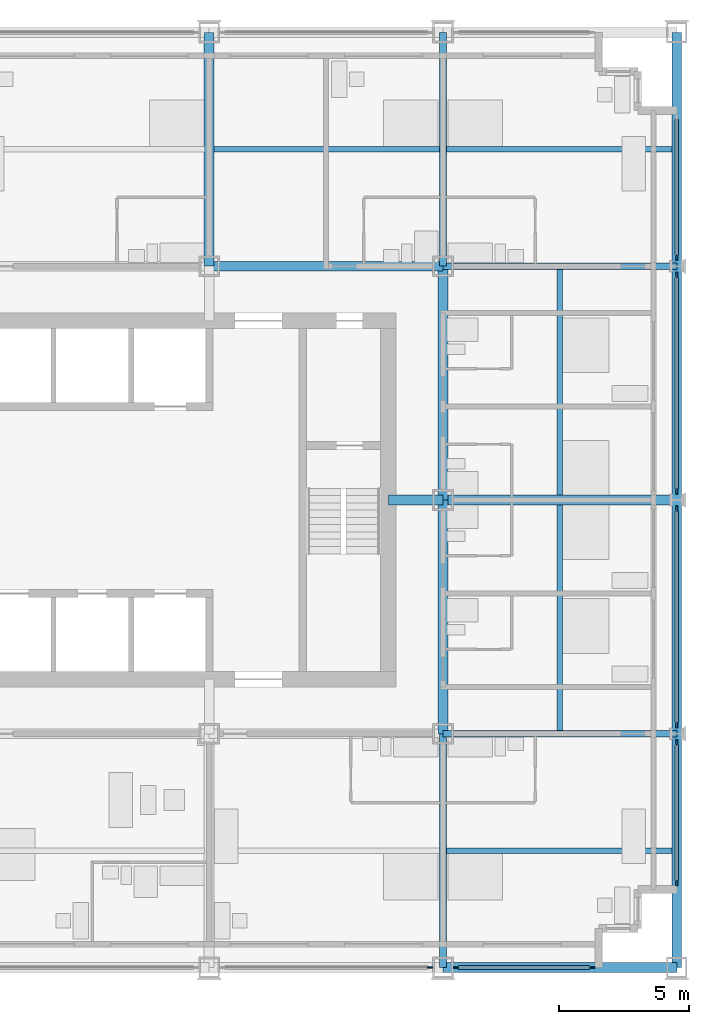
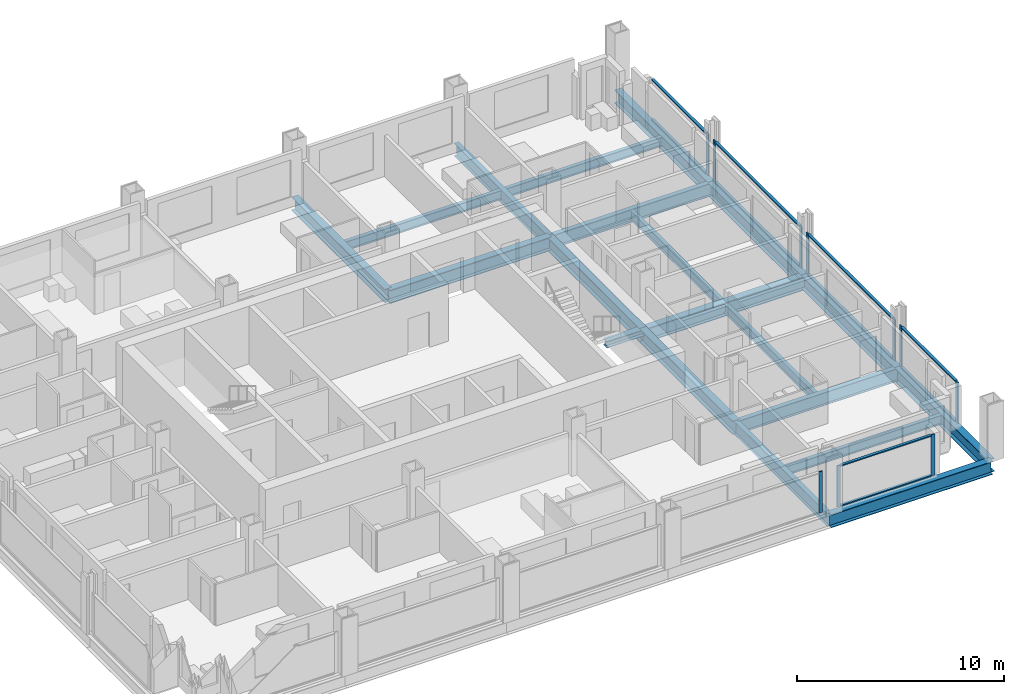
# One storey, part 5 of 16: 21 members, 19 beams, 6 elements without a shape of their own.
"""IFC4 building model written with IfcOpenShell, lengths in metres."""

from ifc_helpers import new_model, si_unit, direction, frame, origin, origin_2d, place, context, subcontext, project, spatial, rectangle, i_section, extrude, material, material_profile, profile_set, type_object, element, aggregate, save


model = new_model("IFC4")

# Units and contexts
model_context = context("Model", 3, precision=1e-05, world=origin(), true_north=direction((0.0, 1.0)))
body_context = subcontext(model_context, "Body", "Model", "MODEL_VIEW")
ifc_project = project(units=[si_unit("LENGTHUNIT", "METRE"), si_unit("AREAUNIT", "SQUARE_METRE"), si_unit("VOLUMEUNIT", "CUBIC_METRE"), si_unit("PLANEANGLEUNIT", "RADIAN"), si_unit("MASSUNIT", "GRAM", prefix="KILO")], contexts=[model_context])

# Site, building, storey
site_placement = place(None, origin())
site = spatial("IfcSite", under=ifc_project, at=site_placement, CompositionType="ELEMENT")
building_placement = place(site_placement, origin())
building = spatial("IfcBuilding", under=site, at=building_placement, Name="Loomwork Tower", CompositionType="ELEMENT")
storey_placement = place(building_placement, frame((0.0, 0.0, 111.199951171875)))
storey = spatial("IfcBuildingStorey", under=building, at=storey_placement, Name="L29", CompositionType="ELEMENT", Elevation=111.199951171875)

# Beams
ifc_material_1 = material(Name="Steel ASTM A992", Category="steel")
ifc_material_profile_1 = material_profile(ifc_material_1, i_section(OverallWidth=0.383544921875, OverallDepth=0.794921875, WebThickness=0.02099609375, FlangeThickness=0.0380859375, at=origin_2d()), Name="W30x235")
ifc_profile_set_1 = profile_set([ifc_material_profile_1], Name="Steel ASTM A992")
beam_type_1 = type_object("IfcBeamType", Name="CORE FLANK GIRDER W30x235", PredefinedType="BEAM", material=ifc_profile_set_1)
for number, where, z_axis, x_axis, name in (
    (1, (36.0, 18.0, -0.597412109375), (1.0, 0.0, 0.0), (0.0, 1.0, 0.0), "Core Flank Girder F/6-F/7 L29"),
    (2, (27.0, 27.0, -0.597412109375), (1.0, 0.0, 0.0), (0.0, 1.0, 0.0), "Core Flank Girder G/5-G/6 L29"),
    (3, (27.0, 27.0, -0.597412109375), (0.0, 1.0, 0.0), (-1.0, 0.0, 0.0), "Core Flank Girder G/5-H/5 L29"),
    (4, (36.0, 9.0, -0.597412109375), (0.0, 1.0, 0.0), (-1.0, 0.0, 0.0), "Core Flank Girder E/6-F/6 L29"),
    (5, (36.0, 18.0, -0.597412109375), (0.0, 1.0, 0.0), (-1.0, 0.0, 0.0), "Core Flank Girder F/6-G/6 L29"),
):
    element("IfcBeam", number, at=place(storey_placement, frame(where, z_axis=z_axis, x_axis=x_axis)), inside=storey, type_object=beam_type_1, Name=name, PredefinedType="BEAM", context=body_context, shape_type="SweptSolid", body=[
        extrude(i_section(OverallWidth=0.383544921875, OverallDepth=0.794921875, WebThickness=0.02099609375, FlangeThickness=0.0380859375, at=origin_2d()), origin(), (0.0, 0.0, 1.0), 9.0),
    ])

# Member
ifc_material_2 = material(Name="Steel ASTM A992", Category="steel")
ifc_material_profile_2 = material_profile(ifc_material_2, i_section(OverallWidth=0.373291015625, OverallDepth=0.373291015625, WebThickness=0.016357421875, FlangeThickness=0.026123046875, at=origin_2d()), Name="W14x132")
ifc_profile_set_2 = profile_set([ifc_material_profile_2], Name="Steel ASTM A992")
member_type_1 = type_object("IfcMemberType", Name="CORE LINK STRUT W14x132", PredefinedType="STRUT", material=ifc_profile_set_2)
member_1_placement = place(storey_placement, frame((36.0, 18.0, -0.38671875), z_axis=(-1.0, 0.0, 0.0), x_axis=(0.0, -1.0, 0.0)))
element("IfcMember", 6, at=member_1_placement, inside=storey, type_object=member_type_1, Name="Core link strut F/6-33.900,18.000 L29", PredefinedType="STRUT", context=body_context, shape_type="SweptSolid", body=[
    extrude(i_section(OverallWidth=0.373291015625, OverallDepth=0.373291015625, WebThickness=0.016357421875, FlangeThickness=0.026123046875, at=origin_2d()), origin(), (0.0, 0.0, 1.0), 2.10009765625),
])

# Beams
ifc_material_3 = material(Name="Steel ASTM A992", Category="steel")
ifc_material_profile_3 = material_profile(ifc_material_3, i_section(OverallWidth=0.2666015625, OverallDepth=0.761962890625, WebThickness=0.014404296875, FlangeThickness=0.021484375, at=origin_2d()), Name="W30x116")
ifc_profile_set_3 = profile_set([ifc_material_profile_3], Name="Steel ASTM A992")
beam_type_2 = type_object("IfcBeamType", Name="FLOOR GIRDER W30x116", PredefinedType="BEAM", material=ifc_profile_set_3)
for number, where, z_axis, x_axis, name in (
    (7, (36.0, 9.0, -0.5810546875), (1.0, 0.0, 0.0), (0.0, 1.0, 0.0), "Floor Girder E/6-E/7 L29"),
    (8, (36.0, 27.0, -0.5810546875), (1.0, 0.0, 0.0), (0.0, 1.0, 0.0), "Floor Girder G/6-G/7 L29"),
    (9, (36.0, 0.0, -0.5810546875), (0.0, 1.0, 0.0), (-1.0, 0.0, 0.0), "Floor Girder D/6-E/6 L29"),
    (10, (36.0, 27.0, -0.5810546875), (0.0, 1.0, 0.0), (-1.0, 0.0, 0.0), "Floor Girder G/6-H/6 L29"),
):
    element("IfcBeam", number, at=place(storey_placement, frame(where, z_axis=z_axis, x_axis=x_axis)), inside=storey, type_object=beam_type_2, Name=name, PredefinedType="BEAM", context=body_context, shape_type="SweptSolid", body=[
        extrude(i_section(OverallWidth=0.2666015625, OverallDepth=0.761962890625, WebThickness=0.014404296875, FlangeThickness=0.021484375, at=origin_2d()), origin(), (0.0, 0.0, 1.0), 9.0),
    ])
ifc_material_4 = material(Name="Steel ASTM A992", Category="steel")
ifc_material_profile_4 = material_profile(ifc_material_4, i_section(OverallWidth=0.2109375, OverallDepth=0.53857421875, WebThickness=0.011474609375, FlangeThickness=0.018798828125, at=origin_2d()), Name="W21x73")
ifc_profile_set_4 = profile_set([ifc_material_profile_4], Name="Steel ASTM A992")
beam_type_3 = type_object("IfcBeamType", Name="FLOOR JOIST W21x73", PredefinedType="JOIST", material=ifc_profile_set_4)
beam_1_placement = place(storey_placement, frame((27.19091796875, 31.5, -0.46923828125), z_axis=(1.0, 0.0, 0.0), x_axis=(0.0, 1.0, 0.0)))
element("IfcBeam", 11, at=beam_1_placement, inside=storey, type_object=beam_type_3, Name="Floor Joist 27.000,31.500-36.000,31.500 L29", PredefinedType="JOIST", context=body_context, shape_type="SweptSolid", body=[
    extrude(i_section(OverallWidth=0.2109375, OverallDepth=0.53857421875, WebThickness=0.011474609375, FlangeThickness=0.018798828125, at=origin_2d()), origin(), (0.0, 0.0, 1.0), 8.676025390625),
])
beam_2_placement = place(storey_placement, frame((36.133056640625, 4.5, -0.46923828125), z_axis=(1.0, 0.0, 0.0), x_axis=(0.0, 1.0, 0.0)))
element("IfcBeam", 12, at=beam_2_placement, inside=storey, type_object=beam_type_3, Name="Floor Joist 36.000,4.500-45.000,4.500 L29", PredefinedType="JOIST", context=body_context, shape_type="SweptSolid", body=[
    extrude(i_section(OverallWidth=0.2109375, OverallDepth=0.53857421875, WebThickness=0.011474609375, FlangeThickness=0.018798828125, at=origin_2d()), origin(), (0.0, 0.0, 1.0), 8.677001953125),
])
for number, where, z_axis, x_axis, name in (
    (13, (40.5, 9.133056640625, -0.46923828125), (0.0, 1.0, 0.0), (-1.0, 0.0, 0.0), "Floor Joist 40.500,9.000-40.500,18.000 L29"),
    (14, (40.5, 18.19091796875, -0.46923828125), (0.0, 1.0, 0.0), (-1.0, 0.0, 0.0), "Floor Joist 40.500,18.000-40.500,27.000 L29"),
):
    element("IfcBeam", number, at=place(storey_placement, frame(where, z_axis=z_axis, x_axis=x_axis)), inside=storey, type_object=beam_type_3, Name=name, PredefinedType="JOIST", context=body_context, shape_type="SweptSolid", body=[
        extrude(i_section(OverallWidth=0.2109375, OverallDepth=0.53857421875, WebThickness=0.011474609375, FlangeThickness=0.018798828125, at=origin_2d()), origin(), (0.0, 0.0, 1.0), 8.676025390625),
    ])
beam_3_placement = place(storey_placement, frame((36.133056640625, 31.5, -0.46923828125), z_axis=(1.0, 0.0, 0.0), x_axis=(0.0, 1.0, 0.0)))
element("IfcBeam", 15, at=beam_3_placement, inside=storey, type_object=beam_type_3, Name="Floor Joist 36.000,31.500-45.000,31.500 L29", PredefinedType="JOIST", context=body_context, shape_type="SweptSolid", body=[
    extrude(i_section(OverallWidth=0.2109375, OverallDepth=0.53857421875, WebThickness=0.011474609375, FlangeThickness=0.018798828125, at=origin_2d()), origin(), (0.0, 0.0, 1.0), 8.677001953125),
])

# Curtain wall, member
ifc_material_5 = material(Name="Aluminium curtain wall frame", Category="aluminium")
curtain_wall_type = type_object("IfcCurtainWallType", Name="Outer skin glazing hotel", PredefinedType="NOTDEFINED", material=ifc_material_5)
curtain_wall_1_placement = place(storey_placement, origin())
curtain_wall_1 = element("IfcCurtainWall", 16, at=curtain_wall_1_placement, inside=storey, type_object=curtain_wall_type, Name="Outer skin glazing hotel cw/S-27", PredefinedType="NOTDEFINED")
ifc_material_6 = material(Name="Aluminium curtain wall frame", Category="aluminium")
ifc_material_profile_5 = material_profile(ifc_material_6, rectangle(XDim=0.06494140625, YDim=0.199951171875, at=origin_2d()), Name="AL 65x200")
ifc_profile_set_5 = profile_set([ifc_material_profile_5], Name="Aluminium curtain wall frame")
member_type_2 = type_object("IfcMemberType", Name="Outer skin glazing hotel mullion", PredefinedType="MULLION", material=ifc_profile_set_5)
member_2_placement = place(storey_placement, frame((35.5, 0.0, 0.0), z_axis=(0.0, 0.0, 1.0), x_axis=(0.0, 1.0, 0.0)))
member_2 = element("IfcMember", 17, at=member_2_placement, type_object=member_type_2, Name="CW1 mullion 2", PredefinedType="MULLION", context=body_context, shape_type="SweptSolid", body=[
    extrude(rectangle(XDim=0.06494140625, YDim=0.199951171875, at=origin_2d()), origin(), (0.0, 0.0, 1.0), 2.420166015625),
])
aggregate(curtain_wall_1, [member_2])

# Curtain wall, members
curtain_wall_2_placement = place(storey_placement, origin())
curtain_wall_2 = element("IfcCurtainWall", 18, at=curtain_wall_2_placement, inside=storey, type_object=curtain_wall_type, Name="Outer skin glazing hotel cw/S-36", PredefinedType="NOTDEFINED")
member_3_placement = place(storey_placement, frame((36.5, 0.0, 0.0), z_axis=(0.0, 0.0, 1.0), x_axis=(0.0, 1.0, 0.0)))
member_3 = element("IfcMember", 19, at=member_3_placement, type_object=member_type_2, Name="CW1 mullion 1", PredefinedType="MULLION", context=body_context, shape_type="SweptSolid", body=[
    extrude(rectangle(XDim=0.06494140625, YDim=0.199951171875, at=origin_2d()), origin(), (0.0, 0.0, 1.0), 2.420166015625),
])
member_4_placement = place(storey_placement, frame((41.75, 0.0, 0.0), z_axis=(0.0, 0.0, 1.0), x_axis=(0.0, 1.0, 0.0)))
member_4 = element("IfcMember", 20, at=member_4_placement, type_object=member_type_2, Name="CW1 mullion 2", PredefinedType="MULLION", context=body_context, shape_type="SweptSolid", body=[
    extrude(rectangle(XDim=0.06494140625, YDim=0.199951171875, at=origin_2d()), origin(), (0.0, 0.0, 1.0), 2.420166015625),
])

curtain_wall_3_placement = place(storey_placement, origin())
curtain_wall_3 = element("IfcCurtainWall", 21, at=curtain_wall_3_placement, inside=storey, type_object=curtain_wall_type, Name="Outer skin glazing hotel cw/E-0", PredefinedType="NOTDEFINED")
member_5_placement = place(storey_placement, frame((45.0, 3.25, 0.0), z_axis=(0.0, 0.0, 1.0), x_axis=(-1.0, 0.0, 0.0)))
member_5 = element("IfcMember", 22, at=member_5_placement, type_object=member_type_2, Name="CW1 mullion 1", PredefinedType="MULLION", context=body_context, shape_type="SweptSolid", body=[
    extrude(rectangle(XDim=0.06494140625, YDim=0.199951171875, at=origin_2d()), origin(), (0.0, 0.0, 1.0), 2.420166015625),
])
member_6_placement = place(storey_placement, frame((45.0, 8.67529296875, 0.0), z_axis=(0.0, 0.0, 1.0), x_axis=(-1.0, 0.0, 0.0)))
member_6 = element("IfcMember", 23, at=member_6_placement, type_object=member_type_2, Name="CW1 mullion 2", PredefinedType="MULLION", context=body_context, shape_type="SweptSolid", body=[
    extrude(rectangle(XDim=0.06494140625, YDim=0.199951171875, at=origin_2d()), origin(), (0.0, 0.0, 1.0), 2.420166015625),
])

curtain_wall_4_placement = place(storey_placement, origin())
curtain_wall_4 = element("IfcCurtainWall", 24, at=curtain_wall_4_placement, inside=storey, type_object=curtain_wall_type, Name="Outer skin glazing hotel cw/E-9", PredefinedType="NOTDEFINED")
member_7_placement = place(storey_placement, frame((45.0, 9.32470703125, 0.0), z_axis=(0.0, 0.0, 1.0), x_axis=(-1.0, 0.0, 0.0)))
member_7 = element("IfcMember", 25, at=member_7_placement, type_object=member_type_2, Name="CW1 mullion 1", PredefinedType="MULLION", context=body_context, shape_type="SweptSolid", body=[
    extrude(rectangle(XDim=0.06494140625, YDim=0.199951171875, at=origin_2d()), origin(), (0.0, 0.0, 1.0), 2.420166015625),
])
member_8_placement = place(storey_placement, frame((45.0, 17.67529296875, 0.0), z_axis=(0.0, 0.0, 1.0), x_axis=(-1.0, 0.0, 0.0)))
member_8 = element("IfcMember", 26, at=member_8_placement, type_object=member_type_2, Name="CW1 mullion 2", PredefinedType="MULLION", context=body_context, shape_type="SweptSolid", body=[
    extrude(rectangle(XDim=0.06494140625, YDim=0.199951171875, at=origin_2d()), origin(), (0.0, 0.0, 1.0), 2.420166015625),
])

curtain_wall_5_placement = place(storey_placement, origin())
curtain_wall_5 = element("IfcCurtainWall", 27, at=curtain_wall_5_placement, inside=storey, type_object=curtain_wall_type, Name="Outer skin glazing hotel cw/E-18", PredefinedType="NOTDEFINED")
member_9_placement = place(storey_placement, frame((45.0, 18.32470703125, 0.0), z_axis=(0.0, 0.0, 1.0), x_axis=(-1.0, 0.0, 0.0)))
member_9 = element("IfcMember", 28, at=member_9_placement, type_object=member_type_2, Name="CW1 mullion 1", PredefinedType="MULLION", context=body_context, shape_type="SweptSolid", body=[
    extrude(rectangle(XDim=0.06494140625, YDim=0.199951171875, at=origin_2d()), origin(), (0.0, 0.0, 1.0), 2.420166015625),
])
member_10_placement = place(storey_placement, frame((45.0, 26.67529296875, 0.0), z_axis=(0.0, 0.0, 1.0), x_axis=(-1.0, 0.0, 0.0)))
member_10 = element("IfcMember", 29, at=member_10_placement, type_object=member_type_2, Name="CW1 mullion 2", PredefinedType="MULLION", context=body_context, shape_type="SweptSolid", body=[
    extrude(rectangle(XDim=0.06494140625, YDim=0.199951171875, at=origin_2d()), origin(), (0.0, 0.0, 1.0), 2.420166015625),
])

# Curtain wall, member
curtain_wall_6_placement = place(storey_placement, origin())
curtain_wall_6 = element("IfcCurtainWall", 30, at=curtain_wall_6_placement, inside=storey, type_object=curtain_wall_type, Name="Outer skin glazing hotel cw/E-27", PredefinedType="NOTDEFINED")
member_11_placement = place(storey_placement, frame((45.0, 27.32470703125, 0.0), z_axis=(0.0, 0.0, 1.0), x_axis=(-1.0, 0.0, 0.0)))
member_11 = element("IfcMember", 31, at=member_11_placement, type_object=member_type_2, Name="CW1 mullion 1", PredefinedType="MULLION", context=body_context, shape_type="SweptSolid", body=[
    extrude(rectangle(XDim=0.06494140625, YDim=0.199951171875, at=origin_2d()), origin(), (0.0, 0.0, 1.0), 2.420166015625),
])

# Member
ifc_material_7 = material(Name="Aluminium curtain wall frame", Category="aluminium")
ifc_material_profile_6 = material_profile(ifc_material_7, rectangle(XDim=0.14990234375, YDim=0.06494140625, at=origin_2d()), Name="AL 65x150")
ifc_profile_set_6 = profile_set([ifc_material_profile_6], Name="Aluminium curtain wall frame")
member_type_3 = type_object("IfcMemberType", Name="Outer skin glazing hotel transom", PredefinedType="USERDEFINED", material=ifc_profile_set_6)
member_12_placement = place(storey_placement, frame((36.60009765625, 0.0, 0.032470703125), z_axis=(1.0, 0.0, 0.0), x_axis=(0.0, 1.0, 0.0)))
member_12 = element("IfcMember", 32, at=member_12_placement, type_object=member_type_3, Name="CW1 transom 1.1", ObjectType="TRANSOM", PredefinedType="USERDEFINED", context=body_context, shape_type="SweptSolid", body=[
    extrude(rectangle(XDim=0.14990234375, YDim=0.06494140625, at=origin_2d()), origin(), (0.0, 0.0, 1.0), 5.0498046875),
])

member_13_placement = place(storey_placement, frame((36.60009765625, 0.0, 2.3876953125), z_axis=(1.0, 0.0, 0.0), x_axis=(0.0, 1.0, 0.0)))
member_13 = element("IfcMember", 33, at=member_13_placement, type_object=member_type_3, Name="CW1 transom 1.2", ObjectType="TRANSOM", PredefinedType="USERDEFINED", context=body_context, shape_type="SweptSolid", body=[
    extrude(rectangle(XDim=0.14990234375, YDim=0.06494140625, at=origin_2d()), origin(), (0.0, 0.0, 1.0), 5.0498046875),
])

aggregate(curtain_wall_2, [member_3, member_4, member_12, member_13])

member_14_placement = place(storey_placement, frame((45.0, 3.35009765625, 0.032470703125), z_axis=(0.0, 1.0, 0.0), x_axis=(-1.0, 0.0, 0.0)))
member_14 = element("IfcMember", 34, at=member_14_placement, type_object=member_type_3, Name="CW1 transom 1.1", ObjectType="TRANSOM", PredefinedType="USERDEFINED", context=body_context, shape_type="SweptSolid", body=[
    extrude(rectangle(XDim=0.14990234375, YDim=0.06494140625, at=origin_2d()), origin(), (0.0, 0.0, 1.0), 5.22509765625),
])

member_15_placement = place(storey_placement, frame((45.0, 3.35009765625, 2.3876953125), z_axis=(0.0, 1.0, 0.0), x_axis=(-1.0, 0.0, 0.0)))
member_15 = element("IfcMember", 35, at=member_15_placement, type_object=member_type_3, Name="CW1 transom 1.2", ObjectType="TRANSOM", PredefinedType="USERDEFINED", context=body_context, shape_type="SweptSolid", body=[
    extrude(rectangle(XDim=0.14990234375, YDim=0.06494140625, at=origin_2d()), origin(), (0.0, 0.0, 1.0), 5.22509765625),
])

aggregate(curtain_wall_3, [member_5, member_6, member_14, member_15])

member_16_placement = place(storey_placement, frame((45.0, 9.4248046875, 0.032470703125), z_axis=(0.0, 1.0, 0.0), x_axis=(-1.0, 0.0, 0.0)))
member_16 = element("IfcMember", 36, at=member_16_placement, type_object=member_type_3, Name="CW1 transom 1.1", ObjectType="TRANSOM", PredefinedType="USERDEFINED", context=body_context, shape_type="SweptSolid", body=[
    extrude(rectangle(XDim=0.14990234375, YDim=0.06494140625, at=origin_2d()), origin(), (0.0, 0.0, 1.0), 8.150390625),
])

member_17_placement = place(storey_placement, frame((45.0, 9.4248046875, 2.3876953125), z_axis=(0.0, 1.0, 0.0), x_axis=(-1.0, 0.0, 0.0)))
member_17 = element("IfcMember", 37, at=member_17_placement, type_object=member_type_3, Name="CW1 transom 1.2", ObjectType="TRANSOM", PredefinedType="USERDEFINED", context=body_context, shape_type="SweptSolid", body=[
    extrude(rectangle(XDim=0.14990234375, YDim=0.06494140625, at=origin_2d()), origin(), (0.0, 0.0, 1.0), 8.150390625),
])

aggregate(curtain_wall_4, [member_7, member_8, member_16, member_17])

member_18_placement = place(storey_placement, frame((45.0, 18.4248046875, 0.032470703125), z_axis=(0.0, 1.0, 0.0), x_axis=(-1.0, 0.0, 0.0)))
member_18 = element("IfcMember", 38, at=member_18_placement, type_object=member_type_3, Name="CW1 transom 1.1", ObjectType="TRANSOM", PredefinedType="USERDEFINED", context=body_context, shape_type="SweptSolid", body=[
    extrude(rectangle(XDim=0.14990234375, YDim=0.06494140625, at=origin_2d()), origin(), (0.0, 0.0, 1.0), 8.150390625),
])

member_19_placement = place(storey_placement, frame((45.0, 18.4248046875, 2.3876953125), z_axis=(0.0, 1.0, 0.0), x_axis=(-1.0, 0.0, 0.0)))
member_19 = element("IfcMember", 39, at=member_19_placement, type_object=member_type_3, Name="CW1 transom 1.2", ObjectType="TRANSOM", PredefinedType="USERDEFINED", context=body_context, shape_type="SweptSolid", body=[
    extrude(rectangle(XDim=0.14990234375, YDim=0.06494140625, at=origin_2d()), origin(), (0.0, 0.0, 1.0), 8.150390625),
])

aggregate(curtain_wall_5, [member_9, member_10, member_18, member_19])

member_20_placement = place(storey_placement, frame((45.0, 27.4248046875, 0.032470703125), z_axis=(0.0, 1.0, 0.0), x_axis=(-1.0, 0.0, 0.0)))
member_20 = element("IfcMember", 40, at=member_20_placement, type_object=member_type_3, Name="CW1 transom 1.1", ObjectType="TRANSOM", PredefinedType="USERDEFINED", context=body_context, shape_type="SweptSolid", body=[
    extrude(rectangle(XDim=0.14990234375, YDim=0.06494140625, at=origin_2d()), origin(), (0.0, 0.0, 1.0), 5.22509765625),
])

member_21_placement = place(storey_placement, frame((45.0, 27.4248046875, 2.3876953125), z_axis=(0.0, 1.0, 0.0), x_axis=(-1.0, 0.0, 0.0)))
member_21 = element("IfcMember", 41, at=member_21_placement, type_object=member_type_3, Name="CW1 transom 1.2", ObjectType="TRANSOM", PredefinedType="USERDEFINED", context=body_context, shape_type="SweptSolid", body=[
    extrude(rectangle(XDim=0.14990234375, YDim=0.06494140625, at=origin_2d()), origin(), (0.0, 0.0, 1.0), 5.22509765625),
])

aggregate(curtain_wall_6, [member_11, member_20, member_21])

# Beams
ifc_material_8 = material(Name="Steel ASTM A992", Category="steel")
ifc_material_profile_7 = material_profile(ifc_material_8, i_section(OverallWidth=0.381103515625, OverallDepth=0.77978515625, WebThickness=0.01806640625, FlangeThickness=0.0302734375, at=origin_2d()), Name="W30x191")
ifc_profile_set_7 = profile_set([ifc_material_profile_7], Name="Steel ASTM A992")
beam_type_4 = type_object("IfcBeamType", Name="SPANDREL GIRDER W30x191", PredefinedType="SPANDREL", material=ifc_profile_set_7)
for number, where, z_axis, x_axis, name in (
    (42, (36.0, 0.0, -0.58984375), (1.0, 0.0, 0.0), (0.0, 1.0, 0.0), "Spandrel Girder D/6-D/7 L29"),
    (43, (45.0, 0.0, -0.58984375), (0.0, 1.0, 0.0), (-1.0, 0.0, 0.0), "Spandrel Girder D/7-E/7 L29"),
    (44, (45.0, 9.0, -0.58984375), (0.0, 1.0, 0.0), (-1.0, 0.0, 0.0), "Spandrel Girder E/7-F/7 L29"),
    (45, (45.0, 18.0, -0.58984375), (0.0, 1.0, 0.0), (-1.0, 0.0, 0.0), "Spandrel Girder F/7-G/7 L29"),
    (46, (45.0, 27.0, -0.58984375), (0.0, 1.0, 0.0), (-1.0, 0.0, 0.0), "Spandrel Girder G/7-H/7 L29"),
):
    element("IfcBeam", number, at=place(storey_placement, frame(where, z_axis=z_axis, x_axis=x_axis)), inside=storey, type_object=beam_type_4, Name=name, PredefinedType="SPANDREL", context=body_context, shape_type="SweptSolid", body=[
        extrude(i_section(OverallWidth=0.381103515625, OverallDepth=0.77978515625, WebThickness=0.01806640625, FlangeThickness=0.0302734375, at=origin_2d()), origin(), (0.0, 0.0, 1.0), 9.0),
    ])

save(model, "model.ifc")
